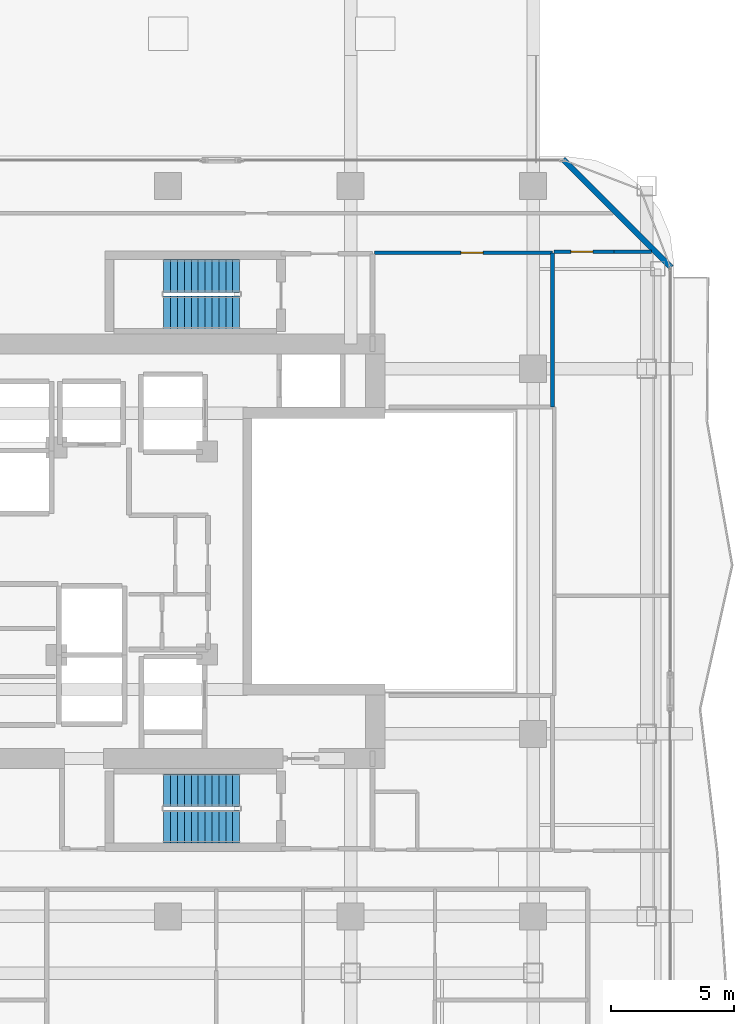
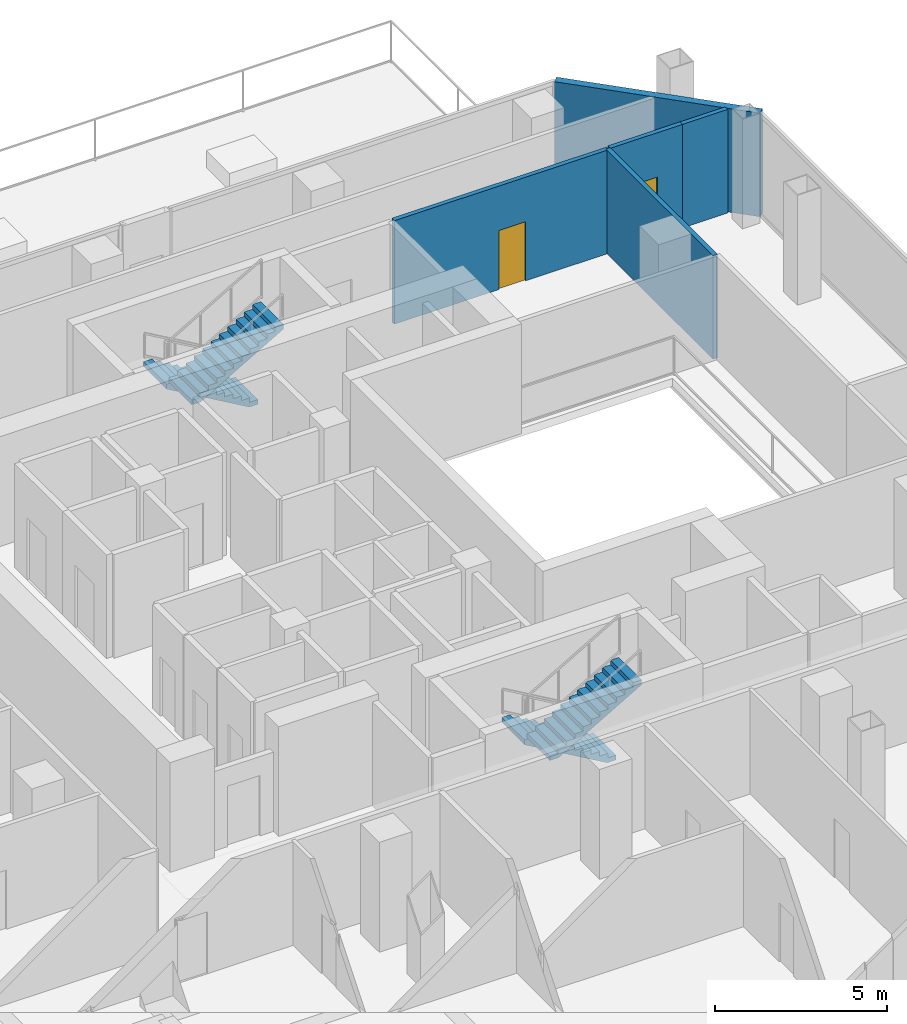
# One storey, part 21 of 24: 5 walls, 4 stair flights, 2 doors, 2 openings, 2 elements without a shape of their own.
"""IFC4 building model written with IfcOpenShell, lengths in metres."""

from ifc_helpers import new_model, si_unit, direction, frame, frame_2d, origin, place, context, subcontext, project, spatial, polyline, rectangle, outline, extrude, material, layer, layer_set, type_object, element, fill, aggregate, save


model = new_model("IFC4")

# Units and contexts
model_context = context("Model", 3, precision=1e-05, world=origin(), true_north=direction((0.0, 1.0)))
body_context = subcontext(model_context, "Body", "Model", "MODEL_VIEW")
ifc_project = project(units=[si_unit("LENGTHUNIT", "METRE"), si_unit("AREAUNIT", "SQUARE_METRE"), si_unit("VOLUMEUNIT", "CUBIC_METRE"), si_unit("PLANEANGLEUNIT", "RADIAN"), si_unit("MASSUNIT", "GRAM", prefix="KILO")], contexts=[model_context])

# Site, building, storey
site_placement = place(None, origin())
site = spatial("IfcSite", under=ifc_project, at=site_placement, CompositionType="ELEMENT")
building_placement = place(site_placement, origin())
building = spatial("IfcBuilding", under=site, at=building_placement, Name="Khorvyn Point Tower", CompositionType="ELEMENT")
storey_placement = place(building_placement, frame((0.0, 0.0, 191.39990234375)))
storey = spatial("IfcBuildingStorey", under=building, at=storey_placement, Name="L47", CompositionType="ELEMENT", Elevation=191.39990234375)

# Wall
ifc_material_1 = material(Name="Pale anodised aluminium rainscreen on steel stud", Category="steel")
ifc_layer_1 = layer(ifc_material_1, 0.239990234375)
ifc_layer_set_1 = layer_set([ifc_layer_1], Name="Anodised Aluminium Insulated Corner Spandrel Wall 240")
wall_type_1 = type_object("IfcWallType", Name="Anodised Aluminium Insulated Corner Spandrel Wall 240", PredefinedType="SOLIDWALL", material=ifc_layer_set_1)
wall_1_placement = place(storey_placement, frame((16.007568359375, 15.892333984375, 0.0), z_axis=(0.0, 0.0, 1.0), x_axis=(0.707106781187, -0.707106781187, 0.0)))
element("IfcWall", 1, at=wall_1_placement, inside=storey, type_object=wall_type_1, Name="L47 Rounded Corner Wall NE", PredefinedType="SOLIDWALL", context=body_context, shape_type="SweptSolid", body=[
    extrude(rectangle(XDim=6.200927734375, YDim=0.239990234375, at=frame_2d((3.1005859375, 0.0))), origin(), (0.0, 0.0, 1.0), 3.68017578125),
])

# Wall, opening, door
ifc_material_2 = material(Name="Moisture-resistant gypsum and cement board", Category="gypsum")
ifc_layer_2 = layer(ifc_material_2, 0.14990234375)
ifc_layer_set_2 = layer_set([ifc_layer_2], Name="Moisture-Resistant Wet-Room Partition Wall 150")
wall_type_2 = type_object("IfcWallType", Name="Moisture-Resistant Wet-Room Partition Wall 150", PredefinedType="PARTITIONING", material=ifc_layer_set_2)
wall_2_placement = place(storey_placement, frame((8.360107421875, 12.10009765625, 0.0), z_axis=(0.0, 0.0, 1.0), x_axis=(1.0, 0.0, 0.0)))
wall_2 = element("IfcWall", 2, at=wall_2_placement, inside=storey, type_object=wall_type_2, Name="Wall", PredefinedType="PARTITIONING", context=body_context, shape_type="SweptSolid", body=[
    extrude(rectangle(XDim=7.219970703125, YDim=0.14990234375, at=frame_2d((3.60986328125, 0.0))), origin(), (0.0, 0.0, 1.0), 3.68017578125),
])
opening_1_placement = place(wall_2_placement, frame((3.512939453125, 0.0, 0.0)))
opening_1 = element("IfcOpeningElement", 3, at=opening_1_placement, cuts=wall_2, Name="Opening ID-RM90", PredefinedType="OPENING", context=body_context, shape_type="SweptSolid", body=[
    extrude(rectangle(XDim=0.89990234375, YDim=2.10009765625, at=frame_2d((0.449951171875, 1.050048828125))), frame((0.0, 0.0849609375, 0.0), z_axis=(0.0, -1.0, 0.0), x_axis=(1.0, 0.0, 0.0)), (0.0, 0.0, 1.0), 0.169921875),
])
ifc_material_3 = material(Name="Engineered oak veneer timber", Category="wood")
door_type = type_object("IfcDoorType", Name="Flush Engineered Timber Room Door 900x2100", OperationType="NOTDEFINED", PredefinedType="DOOR", material=ifc_material_3)
door_1_placement = place(opening_1_placement, origin())
door_1 = element("IfcDoor", 4, at=door_1_placement, inside=storey, type_object=door_type, Name="Door", OperationType="SINGLE_SWING_RIGHT", OverallHeight=2.10009765625, OverallWidth=0.89990234375, PredefinedType="DOOR", context=body_context, shape_type="SweptSolid", body=[
    extrude(rectangle(XDim=0.89990234375, YDim=2.10009765625, at=frame_2d((0.449951171875, 1.050048828125))), frame((0.0, 0.02490234375, 0.0), z_axis=(0.0, -1.0, 0.0), x_axis=(1.0, 0.0, 0.0)), (0.0, 0.0, 1.0), 0.050048828125),
])
fill(opening_1, door_1)

wall_3_placement = place(storey_placement, frame((15.64990234375, 12.139892578125, 0.0), z_axis=(0.0, 0.0, 1.0), x_axis=(1.0, 0.0, 0.0)))
wall_3 = element("IfcWall", 5, at=wall_3_placement, inside=storey, type_object=wall_type_2, Name="Wall", PredefinedType="PARTITIONING", context=body_context, shape_type="SweptSolid", body=[
    extrude(rectangle(XDim=2.420166015625, YDim=0.14990234375, at=frame_2d((1.2099609375, 0.0))), origin(), (0.0, 0.0, 1.0), 3.68017578125),
])
opening_2_placement = place(wall_3_placement, frame((0.67431640625, 0.0, 0.0)))
opening_2 = element("IfcOpeningElement", 6, at=opening_2_placement, cuts=wall_3, Name="Opening ID-RM90", PredefinedType="OPENING", context=body_context, shape_type="SweptSolid", body=[
    extrude(rectangle(XDim=0.89990234375, YDim=2.10009765625, at=frame_2d((0.449951171875, 1.050048828125))), frame((0.0, 0.0849609375, 0.0), z_axis=(0.0, -1.0, 0.0), x_axis=(1.0, 0.0, 0.0)), (0.0, 0.0, 1.0), 0.169921875),
])
door_2_placement = place(opening_2_placement, origin())
door_2 = element("IfcDoor", 7, at=door_2_placement, inside=storey, type_object=door_type, Name="Door", OperationType="SINGLE_SWING_RIGHT", OverallHeight=2.10009765625, OverallWidth=0.89990234375, PredefinedType="DOOR", context=body_context, shape_type="SweptSolid", body=[
    extrude(rectangle(XDim=0.89990234375, YDim=2.10009765625, at=frame_2d((0.449951171875, 1.050048828125))), frame((0.0, 0.02490234375, 0.0), z_axis=(0.0, -1.0, 0.0), x_axis=(1.0, 0.0, 0.0)), (0.0, 0.0, 1.0), 0.050048828125),
])
fill(opening_2, door_2)

# Walls
wall_4_placement = place(storey_placement, frame((15.580078125, 5.85009765625, 0.0), z_axis=(0.0, 0.0, 1.0), x_axis=(0.0, 1.0, 0.0)))
element("IfcWall", 8, at=wall_4_placement, inside=storey, type_object=wall_type_2, Name="Wall", PredefinedType="PARTITIONING", context=body_context, shape_type="SweptSolid", body=[
    extrude(rectangle(XDim=6.25, YDim=0.14990234375, at=frame_2d((3.125, 0.0))), origin(), (0.0, 0.0, 1.0), 3.68017578125),
])
wall_5_placement = place(storey_placement, frame((18.070068359375, 12.139892578125, 0.0), z_axis=(0.0, 0.0, 1.0), x_axis=(1.0, 0.0, 0.0)))
element("IfcWall", 9, at=wall_5_placement, inside=storey, type_object=wall_type_2, Name="Wall", PredefinedType="PARTITIONING", context=body_context, shape_type="SweptSolid", body=[
    extrude(rectangle(XDim=1.52001953125, YDim=0.14990234375, at=frame_2d((0.760009765625, 0.0))), origin(), (0.0, 0.0, 1.0), 3.68017578125),
])

# Stair, stair flights
ifc_material_4 = material(Name="Concrete C40/50", Category="concrete")
stair_type = type_object("IfcStairType", Name="Tower Concrete C40/50 Dogleg Exit Stair", PredefinedType="HALF_TURN_STAIR", material=ifc_material_4)
stair_1_placement = place(storey_placement, origin())
stair_1 = element("IfcStair", 10, at=stair_1_placement, inside=storey, type_object=stair_type, Name="L47 Tower Smokeproof Exit Stair South", PredefinedType="HALF_TURN_STAIR")
stair_flight_type = type_object("IfcStairFlightType", Name="Tower Concrete C40/50 Stair Flight", PredefinedType="STRAIGHT", material=ifc_material_4)
stair_flight_1_placement = place(storey_placement, frame((2.89990234375, -9.679931640625, 0.0), z_axis=(0.0, 0.0, 1.0), x_axis=(-1.0, 0.0, 0.0)))
stair_flight_1 = element("IfcStairFlight", 11, at=stair_flight_1_placement, type_object=stair_flight_type, Name="ST-01 flight 1", NumberOfRisers=12, NumberOfTreads=11, PredefinedType="STRAIGHT", RiserHeight=0.1625, TreadLength=0.28, context=body_context, shape_type="SweptSolid", body=[
    extrude(outline(polyline([(0.0, 0.0), (0.0, 0.16259765625), (0.280029296875, 0.16259765625), (0.280029296875, 0.324951171875), (0.56005859375, 0.324951171875), (0.56005859375, 0.487548828125), (0.840087890625, 0.487548828125), (0.840087890625, 0.64990234375), (1.1201171875, 0.64990234375), (1.1201171875, 0.8125), (1.39990234375, 0.8125), (1.39990234375, 0.97509765625), (1.679931640625, 0.97509765625), (1.679931640625, 1.137451171875), (1.9599609375, 1.137451171875), (1.9599609375, 1.300048828125), (2.239990234375, 1.300048828125), (2.239990234375, 1.46240234375), (2.52001953125, 1.46240234375), (2.52001953125, 1.625), (2.800048828125, 1.625), (2.800048828125, 1.78759765625), (3.080078125, 1.78759765625), (3.080078125, 1.949951171875), (3.080078125, 1.6142578125), (0.298583984375, 0.0), (0.0, 0.0)])), frame((0.0, 0.66015625, 0.0), z_axis=(0.0, -1.0, 0.0), x_axis=(1.0, 0.0, 0.0)), (0.0, 0.0, 1.0), 1.320068359375),
])
stair_flight_2_placement = place(storey_placement, frame((-0.179931640625, -11.159912109375, 1.9501953125), z_axis=(0.0, 0.0, 1.0), x_axis=(1.0, 0.0, 0.0)))
stair_flight_2 = element("IfcStairFlight", 12, at=stair_flight_2_placement, type_object=stair_flight_type, Name="ST-01 flight 2", NumberOfRisers=12, NumberOfTreads=11, PredefinedType="STRAIGHT", RiserHeight=0.1625, TreadLength=0.28, context=body_context, shape_type="SweptSolid", body=[
    extrude(outline(polyline([(0.0, 0.0), (0.0, 0.16259765625), (0.280029296875, 0.16259765625), (0.280029296875, 0.324951171875), (0.56005859375, 0.324951171875), (0.56005859375, 0.487548828125), (0.840087890625, 0.487548828125), (0.840087890625, 0.64990234375), (1.1201171875, 0.64990234375), (1.1201171875, 0.8125), (1.39990234375, 0.8125), (1.39990234375, 0.97509765625), (1.679931640625, 0.97509765625), (1.679931640625, 1.137451171875), (1.9599609375, 1.137451171875), (1.9599609375, 1.300048828125), (2.239990234375, 1.300048828125), (2.239990234375, 1.46240234375), (2.52001953125, 1.46240234375), (2.52001953125, 1.625), (2.800048828125, 1.625), (2.800048828125, 1.78759765625), (3.080078125, 1.78759765625), (3.080078125, 1.949951171875), (3.080078125, 1.6142578125), (0.298583984375, 0.0), (0.0, 0.0)])), frame((0.0, 0.66015625, 0.0), z_axis=(0.0, -1.0, 0.0), x_axis=(1.0, 0.0, 0.0)), (0.0, 0.0, 1.0), 1.320068359375),
])
aggregate(stair_1, [stair_flight_1, stair_flight_2])

stair_2_placement = place(storey_placement, origin())
stair_2 = element("IfcStair", 13, at=stair_2_placement, inside=storey, type_object=stair_type, Name="L47 Tower Smokeproof Exit Stair North", PredefinedType="HALF_TURN_STAIR")
stair_flight_3_placement = place(storey_placement, frame((2.89990234375, 11.159912109375, 0.0), z_axis=(0.0, 0.0, 1.0), x_axis=(-1.0, 0.0, 0.0)))
stair_flight_3 = element("IfcStairFlight", 14, at=stair_flight_3_placement, type_object=stair_flight_type, Name="ST-02 flight 1", NumberOfRisers=12, NumberOfTreads=11, PredefinedType="STRAIGHT", RiserHeight=0.1625, TreadLength=0.28, context=body_context, shape_type="SweptSolid", body=[
    extrude(outline(polyline([(0.0, 0.0), (0.0, 0.16259765625), (0.280029296875, 0.16259765625), (0.280029296875, 0.324951171875), (0.56005859375, 0.324951171875), (0.56005859375, 0.487548828125), (0.840087890625, 0.487548828125), (0.840087890625, 0.64990234375), (1.1201171875, 0.64990234375), (1.1201171875, 0.8125), (1.39990234375, 0.8125), (1.39990234375, 0.97509765625), (1.679931640625, 0.97509765625), (1.679931640625, 1.137451171875), (1.9599609375, 1.137451171875), (1.9599609375, 1.300048828125), (2.239990234375, 1.300048828125), (2.239990234375, 1.46240234375), (2.52001953125, 1.46240234375), (2.52001953125, 1.625), (2.800048828125, 1.625), (2.800048828125, 1.78759765625), (3.080078125, 1.78759765625), (3.080078125, 1.949951171875), (3.080078125, 1.6142578125), (0.298583984375, 0.0), (0.0, 0.0)])), frame((0.0, 0.66015625, 0.0), z_axis=(0.0, -1.0, 0.0), x_axis=(1.0, 0.0, 0.0)), (0.0, 0.0, 1.0), 1.320068359375),
])
stair_flight_4_placement = place(storey_placement, frame((-0.179931640625, 9.679931640625, 1.9501953125), z_axis=(0.0, 0.0, 1.0), x_axis=(1.0, 0.0, 0.0)))
stair_flight_4 = element("IfcStairFlight", 15, at=stair_flight_4_placement, type_object=stair_flight_type, Name="ST-02 flight 2", NumberOfRisers=12, NumberOfTreads=11, PredefinedType="STRAIGHT", RiserHeight=0.1625, TreadLength=0.28, context=body_context, shape_type="SweptSolid", body=[
    extrude(outline(polyline([(0.0, 0.0), (0.0, 0.16259765625), (0.280029296875, 0.16259765625), (0.280029296875, 0.324951171875), (0.56005859375, 0.324951171875), (0.56005859375, 0.487548828125), (0.840087890625, 0.487548828125), (0.840087890625, 0.64990234375), (1.1201171875, 0.64990234375), (1.1201171875, 0.8125), (1.39990234375, 0.8125), (1.39990234375, 0.97509765625), (1.679931640625, 0.97509765625), (1.679931640625, 1.137451171875), (1.9599609375, 1.137451171875), (1.9599609375, 1.300048828125), (2.239990234375, 1.300048828125), (2.239990234375, 1.46240234375), (2.52001953125, 1.46240234375), (2.52001953125, 1.625), (2.800048828125, 1.625), (2.800048828125, 1.78759765625), (3.080078125, 1.78759765625), (3.080078125, 1.949951171875), (3.080078125, 1.6142578125), (0.298583984375, 0.0), (0.0, 0.0)])), frame((0.0, 0.66015625, 0.0), z_axis=(0.0, -1.0, 0.0), x_axis=(1.0, 0.0, 0.0)), (0.0, 0.0, 1.0), 1.320068359375),
])
aggregate(stair_2, [stair_flight_3, stair_flight_4])

save(model, "model.ifc")
